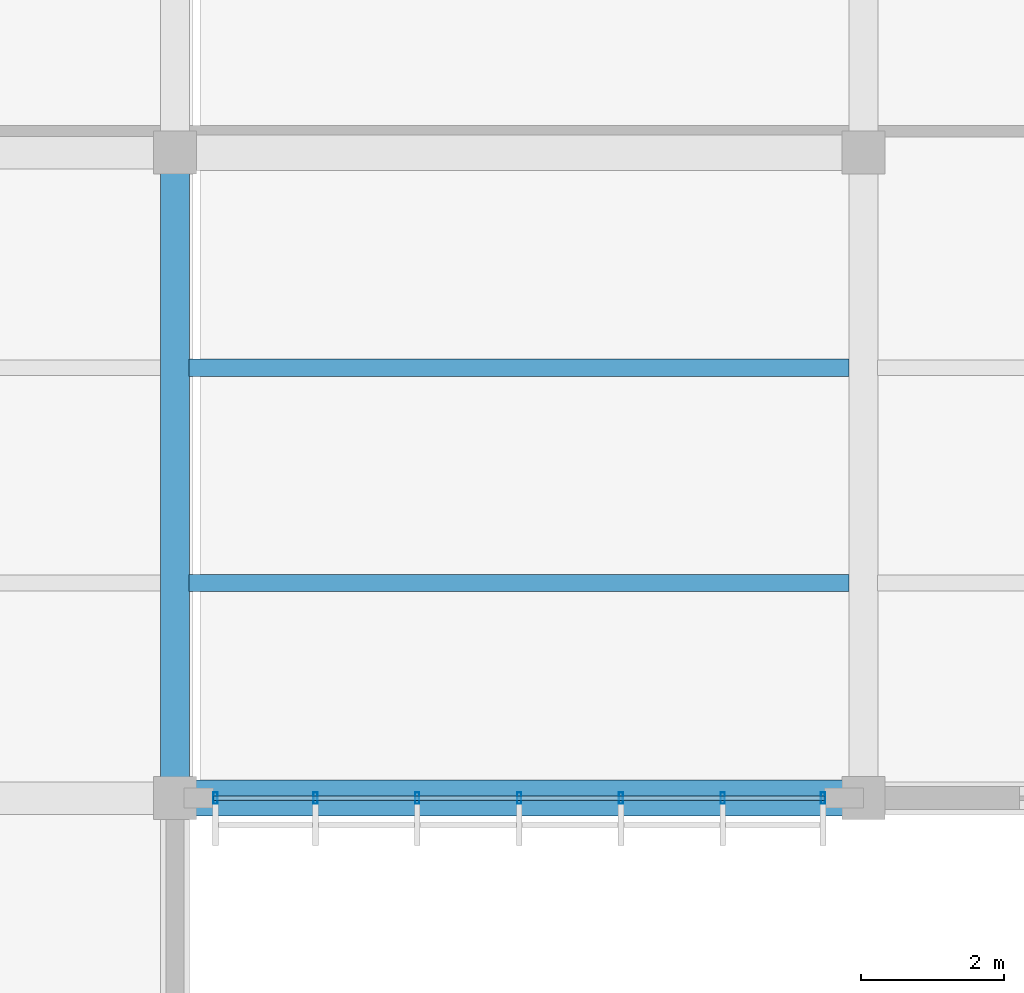
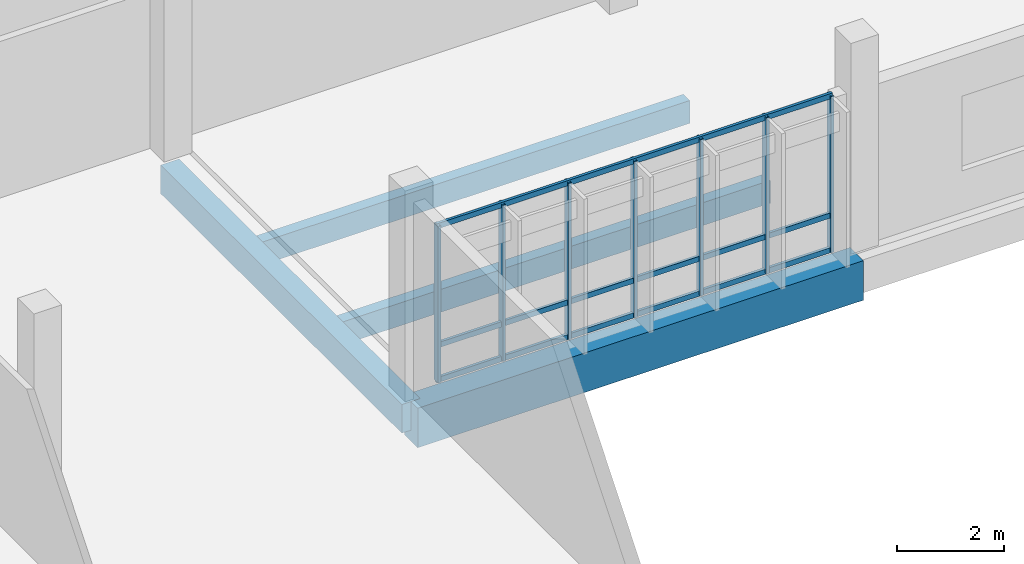
# One storey, part 79 of 177: 10 members, 4 beams, 1 element without a shape of its own.
"""IFC4 building model written with IfcOpenShell, lengths in metres."""

import ifcopenshell
import ifcopenshell.guid

model = None  # the IFC model being written
_history = None  # IfcOwnerHistory: only IFC2X3 demands one
_inside = {}  # id of a spatial element -> (the spatial element, [elements in it])
_under = {}  # id of a project, library or spatial element -> (it, [spatial elements below it])
_declared = {}  # id of a project -> (the project, [libraries it declares])
_typed = {}  # id of a type object -> (the type object, [elements of that type])
_made_of = {}  # id of a material, layer set ... -> (it, [elements and type objects made of it])


def new_model(schema):
    """Start an empty IFC model of exactly this schema.

    Asked for "IFC4X3", IfcOpenShell would pick the latest addendum, in which some entities
    have other attributes; the version numbers below select the first issue.
    IFC2X3 requires an IfcOwnerHistory on every rooted entity: one is made here for all.
    """
    global model, _history
    if schema == "IFC4X3":
        model = ifcopenshell.file(schema_version=(4, 3, 0, 0))
    else:
        model = ifcopenshell.file(schema=schema)
    _inside.clear()
    _under.clear()
    _declared.clear()
    _typed.clear()
    _made_of.clear()
    _history = None
    if model.schema == "IFC2X3":
        org = make("IfcOrganization", Name="unknown")
        user = make(
            "IfcPersonAndOrganization",
            ThePerson=make("IfcPerson", FamilyName="unknown"),
            TheOrganization=org,
        )
        app = make(
            "IfcApplication",
            ApplicationDeveloper=org,
            Version="unknown",
            ApplicationFullName="unknown",
            ApplicationIdentifier="unknown",
        )
        _history = make(
            "IfcOwnerHistory",
            OwningUser=user,
            OwningApplication=app,
            ChangeAction="ADDED",
            CreationDate=0,
        )
    return model


def make(cls, **values):
    """One entity of the class cls with the attributes given. An attribute that is None is left unset."""
    return model.create_entity(
        cls, **{name: value for name, value in values.items() if value is not None}
    )


def rooted(cls, **values):
    """An entity with a GlobalId (a new one), such as an element, a storey or a relation."""
    return make(cls, GlobalId=ifcopenshell.guid.new(), OwnerHistory=_history, **values)


def si_unit(unit_type, name, prefix=None):
    """IfcSIUnit, for example si_unit("LENGTHUNIT", "METRE", prefix="MILLI")."""
    return make("IfcSIUnit", UnitType=unit_type, Prefix=prefix, Name=name)


def assignment(units):
    """IfcUnitAssignment: the units of a project."""
    return None if units is None else make("IfcUnitAssignment", Units=units)


def point(xyz):
    """IfcCartesianPoint."""
    return None if xyz is None else make("IfcCartesianPoint", Coordinates=xyz)


def direction(xyz):
    """IfcDirection."""
    return None if xyz is None else make("IfcDirection", DirectionRatios=xyz)


def frame(location, z_axis=None, x_axis=None):
    """IfcAxis2Placement3D, a coordinate frame: its origin and axes. An axis left out is left unset."""
    return make(
        "IfcAxis2Placement3D",
        Location=point(location),
        Axis=direction(z_axis),
        RefDirection=direction(x_axis),
    )


def frame_2d(location, x_axis=None):
    """IfcAxis2Placement2D, a coordinate frame in the plane: its origin and x axis."""
    return make(
        "IfcAxis2Placement2D", Location=point(location), RefDirection=direction(x_axis)
    )


def origin():
    """The frame at (0, 0, 0) with its axes left unset."""
    return frame((0.0, 0.0, 0.0))


def origin_2d():
    """The frame at (0, 0) in the plane with its x axis left unset."""
    return frame_2d((0.0, 0.0))


def place(relative_to, where):
    """IfcLocalPlacement: puts the frame where relative to a parent placement (None: the world)."""
    return make(
        "IfcLocalPlacement", PlacementRelTo=relative_to, RelativePlacement=where
    )


def context(
    kind, dimensions, precision=None, world=None, true_north=None, identifier=None
):
    """IfcGeometricRepresentationContext, for example the 3D "Model" context."""
    return make(
        "IfcGeometricRepresentationContext",
        ContextIdentifier=identifier,
        ContextType=kind,
        CoordinateSpaceDimension=dimensions,
        Precision=precision,
        WorldCoordinateSystem=world,
        TrueNorth=true_north,
    )


def subcontext(parent, identifier, kind, view, scale=None):
    """IfcGeometricRepresentationSubContext, for example "Body" below "Model"."""
    return make(
        "IfcGeometricRepresentationSubContext",
        ContextIdentifier=identifier,
        ContextType=kind,
        ParentContext=parent,
        TargetScale=scale,
        TargetView=view,
    )


def project(units=None, contexts=None):
    """IfcProject with its units and contexts."""
    return rooted(
        "IfcProject",
        Name="project",
        RepresentationContexts=contexts,
        UnitsInContext=assignment(units),
    )


def spatial(cls, under=None, at=None, **own):
    """A site, building, storey or space (cls), placed at a placement, below another one or the project."""
    s = rooted(cls, ObjectPlacement=at, **own)
    if under is not None:
        _under.setdefault(under.id(), (under, []))[1].append(s)
    return s


def profile(cls, at=None, kind="AREA", **sizes):
    """A parametric profile (cls). Its sizes go by their IFC names, for example OverallWidth=200.0."""
    return make(cls, ProfileType=kind, Position=at, **sizes)


def rectangle(**sizes):
    """IfcRectangleProfileDef."""
    return profile("IfcRectangleProfileDef", **sizes)


def hollow_rectangle(**sizes):
    """IfcRectangleHollowProfileDef."""
    return profile("IfcRectangleHollowProfileDef", **sizes)


def extrude(swept, where, along, depth):
    """IfcExtrudedAreaSolid: the profile swept, set in the frame where, extruded along a direction by depth."""
    return make(
        "IfcExtrudedAreaSolid",
        SweptArea=swept,
        Position=where,
        ExtrudedDirection=direction(along),
        Depth=depth,
    )


def shape(context_of_items, identifier, shape_type, items):
    """IfcShapeRepresentation: the items that make up one representation, for example the "Body"."""
    return make(
        "IfcShapeRepresentation",
        ContextOfItems=context_of_items,
        RepresentationIdentifier=identifier,
        RepresentationType=shape_type,
        Items=items,
    )


def material(Name=None, Category=None):
    """IfcMaterial."""
    return make("IfcMaterial", Name=Name, Category=Category)


def material_profile(
    of_material, cross_section, Name=None, Category=None, Priority=None
):
    """IfcMaterialProfile: a cross section and its material."""
    return make(
        "IfcMaterialProfile",
        Name=Name,
        Material=of_material,
        Profile=cross_section,
        Priority=Priority,
        Category=Category,
    )


def profile_set(profiles, Name=None, composite=None):
    """IfcMaterialProfileSet."""
    return make(
        "IfcMaterialProfileSet",
        Name=Name,
        MaterialProfiles=profiles,
        CompositeProfile=composite,
    )


def made_of(thing, what):
    """Note that an element or type object is made of a material, layer set ...; save() writes the relation."""
    if what is not None:
        _made_of.setdefault(what.id(), (what, []))[1].append(thing)
    return thing


def type_object(cls, material=None, **own):
    """A type object (cls), such as IfcWallType, which elements share."""
    return made_of(rooted(cls, **own), material)


def element(
    cls,
    number,
    at=None,
    inside=None,
    cuts=None,
    type_object=None,
    material=None,
    context=None,
    identifier="Body",
    shape_type=None,
    held_by="IfcProductDefinitionShape",
    body=None,
    shapes=None,
    **own,
):
    """One element of the class cls, such as IfcWall. Its Tag is "e" and its number.

    at: its placement. inside: the storey or other place that contains it. cuts: it is an
    opening in that element (IfcRelVoidsElement). A single representation is given by context,
    identifier, shape_type and body (its items); several are given by shapes. held_by: the class
    of the entity that holds the representations. save() writes the other relations.
    """
    e = rooted(cls, Tag="e%d" % number, ObjectPlacement=at, **own)
    if body is not None:
        shapes = [shape(context, identifier, shape_type, body)]
    if shapes is not None:
        e.Representation = make(held_by, Representations=shapes)
    if inside is not None:
        _inside.setdefault(inside.id(), (inside, []))[1].append(e)
    if cuts is not None:
        rooted(
            "IfcRelVoidsElement", RelatingBuildingElement=cuts, RelatedOpeningElement=e
        )
    if type_object is not None:
        _typed.setdefault(type_object.id(), (type_object, []))[1].append(e)
    return made_of(e, material)


def aggregate(whole, parts):
    """IfcRelAggregates: a whole, such as a stair, and the parts it consists of."""
    return rooted("IfcRelAggregates", RelatingObject=whole, RelatedObjects=parts)


def save(model, path):
    """Write the relations noted so far, then the file.

    IfcRelAggregates (storeys below a building ...), IfcRelContainedInSpatialStructure (elements
    in a storey), IfcRelDefinesByType, IfcRelAssociatesMaterial and IfcRelDeclares: one each for
    every whole, place, type object, material and project.
    """
    for whole, parts in _under.values():
        aggregate(whole, parts)
    for where, things in _inside.values():
        rooted(
            "IfcRelContainedInSpatialStructure",
            RelatedElements=things,
            RelatingStructure=where,
        )
    for kind, things in _typed.values():
        rooted("IfcRelDefinesByType", RelatedObjects=things, RelatingType=kind)
    for what, things in _made_of.values():
        rooted("IfcRelAssociatesMaterial", RelatedObjects=things, RelatingMaterial=what)
    for by, libraries in _declared.values():
        rooted("IfcRelDeclares", RelatingContext=by, RelatedDefinitions=libraries)
    model.write(path)


model = new_model("IFC4")

# Units and contexts
model_context = context("Model", 3, precision=1e-05, world=origin(), true_north=direction((0.0, 1.0)))
body_context = subcontext(model_context, "Body", "Model", "MODEL_VIEW")
ifc_project = project(units=[si_unit("LENGTHUNIT", "METRE"), si_unit("AREAUNIT", "SQUARE_METRE"), si_unit("VOLUMEUNIT", "CUBIC_METRE"), si_unit("PLANEANGLEUNIT", "RADIAN"), si_unit("MASSUNIT", "GRAM", prefix="KILO")], contexts=[model_context])

# Site, building, storey
site_placement = place(None, origin())
site = spatial("IfcSite", under=ifc_project, at=site_placement, CompositionType="ELEMENT")
building_placement = place(site_placement, origin())
building = spatial("IfcBuilding", under=site, at=building_placement, Name="Chiffa Square Polytechnic", CompositionType="ELEMENT")
storey_placement = place(building_placement, frame((0.0, 0.0, 4.800048828125)))
storey = spatial("IfcBuildingStorey", under=building, at=storey_placement, Name="L01", CompositionType="ELEMENT", Elevation=4.800048828125)

# Beams
ifc_material_1 = material(Name="Concrete C35/45", Category="concrete")
ifc_material_profile_1 = material_profile(ifc_material_1, rectangle(XDim=0.39990234375, YDim=0.64990234375, at=origin_2d()), Name="RC 400x650")
ifc_profile_set_1 = profile_set([ifc_material_profile_1], Name="Concrete C35/45")
beam_type_1 = type_object("IfcBeamType", Name="BM-RC-400X650", PredefinedType="BEAM", material=ifc_profile_set_1)
beam_1_placement = place(storey_placement, frame((48.0, 103.800048828125, -0.60498046875), z_axis=(0.0, 1.0, 0.0), x_axis=(-1.0, 0.0, 0.0)))
element("IfcBeam", 1, at=beam_1_placement, inside=storey, type_object=beam_type_1, Name="Primary floor girder BM-V5-L01-Y-0480-1038", PredefinedType="BEAM", context=body_context, shape_type="SweptSolid", body=[
    extrude(rectangle(XDim=0.39990234375, YDim=0.64990234375, at=origin_2d()), origin(), (0.0, 0.0, 1.0), 9.0),
])
ifc_material_2 = material(Name="Concrete C40/50", Category="concrete")
ifc_material_profile_2 = material_profile(ifc_material_2, rectangle(XDim=0.5, YDim=0.89990234375, at=origin_2d()), Name="RC 500x900")
ifc_profile_set_2 = profile_set([ifc_material_profile_2], Name="Concrete C40/50")
beam_type_2 = type_object("IfcBeamType", Name="BM-RC-500X900", PredefinedType="BEAM", material=ifc_profile_set_2)
beam_2_placement = place(storey_placement, frame((48.0, 103.800048828125, -0.72998046875), z_axis=(1.0, 0.0, 0.0), x_axis=(0.0, 1.0, 0.0)))
element("IfcBeam", 2, at=beam_2_placement, inside=storey, type_object=beam_type_2, Name="Primary floor girder BM-V5-L01-X-0480-1038", PredefinedType="BEAM", context=body_context, shape_type="SweptSolid", body=[
    extrude(rectangle(XDim=0.5, YDim=0.89990234375, at=origin_2d()), origin(), (0.0, 0.0, 1.0), 9.60009765625),
])

# Curtain wall, members
ifc_material_3 = material(Name="Aluminium EN AW-6060 T66 and glulam shading", Category="wood")
curtain_wall_type = type_object("IfcCurtainWallType", Name="CW-VERT-540X440", PredefinedType="USERDEFINED", material=ifc_material_3)
curtain_wall_placement = place(storey_placement, origin())
curtain_wall = element("IfcCurtainWall", 3, at=curtain_wall_placement, inside=storey, type_object=curtain_wall_type, Name="Curtain wall CW-V5-L01-199", ObjectType="CURTAIN WALL", PredefinedType="USERDEFINED")
ifc_material_4 = material(Name="Aluminium EN AW-6060 T66", Category="aluminium")
ifc_material_profile_3 = material_profile(ifc_material_4, hollow_rectangle(XDim=0.06005859375, YDim=0.159912109375, WallThickness=0.00390625, at=origin_2d()), Name="ALU 60x160x4")
ifc_profile_set_3 = profile_set([ifc_material_profile_3], Name="Aluminium EN AW-6060 T66")
member_type_1 = type_object("IfcMemberType", Name="CWM-ALU-65X150", PredefinedType="MULLION", material=ifc_profile_set_3)
member_1_placement = place(storey_placement, frame((48.56494140625, 103.800048828125, 0.0), z_axis=(0.0, 0.0, 1.0), x_axis=(1.0, 0.0, 0.0)))
member_1 = element("IfcMember", 4, at=member_1_placement, type_object=member_type_1, Name="Curtain wall mullion CW-V5-L01-199-M00", PredefinedType="MULLION", context=body_context, shape_type="SweptSolid", body=[
    extrude(hollow_rectangle(XDim=0.06005859375, YDim=0.159912109375, WallThickness=0.00390625, at=origin_2d()), origin(), (0.0, 0.0, 1.0), 3.56494140625),
])
member_2_placement = place(storey_placement, frame((49.9599609375, 103.800048828125, 0.0), z_axis=(0.0, 0.0, 1.0), x_axis=(1.0, 0.0, 0.0)))
member_2 = element("IfcMember", 5, at=member_2_placement, type_object=member_type_1, Name="Curtain wall mullion CW-V5-L01-199-M01", PredefinedType="MULLION", context=body_context, shape_type="SweptSolid", body=[
    extrude(hollow_rectangle(XDim=0.06005859375, YDim=0.159912109375, WallThickness=0.00390625, at=origin_2d()), origin(), (0.0, 0.0, 1.0), 3.56494140625),
])
member_3_placement = place(storey_placement, frame((51.3798828125, 103.800048828125, 0.0), z_axis=(0.0, 0.0, 1.0), x_axis=(1.0, 0.0, 0.0)))
member_3 = element("IfcMember", 6, at=member_3_placement, type_object=member_type_1, Name="Curtain wall mullion CW-V5-L01-199-M02", PredefinedType="MULLION", context=body_context, shape_type="SweptSolid", body=[
    extrude(hollow_rectangle(XDim=0.06005859375, YDim=0.159912109375, WallThickness=0.00390625, at=origin_2d()), origin(), (0.0, 0.0, 1.0), 3.56494140625),
])
member_4_placement = place(storey_placement, frame((52.800048828125, 103.800048828125, 0.0), z_axis=(0.0, 0.0, 1.0), x_axis=(1.0, 0.0, 0.0)))
member_4 = element("IfcMember", 7, at=member_4_placement, type_object=member_type_1, Name="Curtain wall mullion CW-V5-L01-199-M03", PredefinedType="MULLION", context=body_context, shape_type="SweptSolid", body=[
    extrude(hollow_rectangle(XDim=0.06005859375, YDim=0.159912109375, WallThickness=0.00390625, at=origin_2d()), origin(), (0.0, 0.0, 1.0), 3.56494140625),
])
member_5_placement = place(storey_placement, frame((54.219970703125, 103.800048828125, 0.0), z_axis=(0.0, 0.0, 1.0), x_axis=(1.0, 0.0, 0.0)))
member_5 = element("IfcMember", 8, at=member_5_placement, type_object=member_type_1, Name="Curtain wall mullion CW-V5-L01-199-M04", PredefinedType="MULLION", context=body_context, shape_type="SweptSolid", body=[
    extrude(hollow_rectangle(XDim=0.06005859375, YDim=0.159912109375, WallThickness=0.00390625, at=origin_2d()), origin(), (0.0, 0.0, 1.0), 3.56494140625),
])
member_6_placement = place(storey_placement, frame((55.639892578125, 103.800048828125, 0.0), z_axis=(0.0, 0.0, 1.0), x_axis=(1.0, 0.0, 0.0)))
member_6 = element("IfcMember", 9, at=member_6_placement, type_object=member_type_1, Name="Curtain wall mullion CW-V5-L01-199-M05", PredefinedType="MULLION", context=body_context, shape_type="SweptSolid", body=[
    extrude(hollow_rectangle(XDim=0.06005859375, YDim=0.159912109375, WallThickness=0.00390625, at=origin_2d()), origin(), (0.0, 0.0, 1.0), 3.56494140625),
])
member_7_placement = place(storey_placement, frame((57.034912109375, 103.800048828125, 0.0), z_axis=(0.0, 0.0, 1.0), x_axis=(1.0, 0.0, 0.0)))
member_7 = element("IfcMember", 10, at=member_7_placement, type_object=member_type_1, Name="Curtain wall mullion CW-V5-L01-199-M06", PredefinedType="MULLION", context=body_context, shape_type="SweptSolid", body=[
    extrude(hollow_rectangle(XDim=0.06005859375, YDim=0.159912109375, WallThickness=0.00390625, at=origin_2d()), origin(), (0.0, 0.0, 1.0), 3.56494140625),
])
ifc_material_profile_4 = material_profile(ifc_material_4, hollow_rectangle(XDim=0.06005859375, YDim=0.1201171875, WallThickness=0.00390625, at=origin_2d()), Name="ALU 60x120x4")
ifc_profile_set_4 = profile_set([ifc_material_profile_4], Name="Aluminium EN AW-6060 T66")
member_type_2 = type_object("IfcMemberType", Name="CWT-ALU-65X120", PredefinedType="USERDEFINED", material=ifc_profile_set_4)
member_8_placement = place(storey_placement, frame((48.5380859375, 103.800048828125, 0.030029296875), z_axis=(1.0, 0.0, 0.0), x_axis=(0.0, 1.0, 0.0)))
member_8 = element("IfcMember", 11, at=member_8_placement, type_object=member_type_2, Name="Curtain wall transom CW-V5-L01-199-T01", ObjectType="TRANSOM", PredefinedType="USERDEFINED", context=body_context, shape_type="SweptSolid", body=[
    extrude(hollow_rectangle(XDim=0.06005859375, YDim=0.1201171875, WallThickness=0.00390625, at=origin_2d()), origin(), (0.0, 0.0, 1.0), 8.52392578125),
])
member_9_placement = place(storey_placement, frame((48.5380859375, 103.800048828125, 0.820068359375), z_axis=(1.0, 0.0, 0.0), x_axis=(0.0, 1.0, 0.0)))
member_9 = element("IfcMember", 12, at=member_9_placement, type_object=member_type_2, Name="Curtain wall transom CW-V5-L01-199-T02", ObjectType="TRANSOM", PredefinedType="USERDEFINED", context=body_context, shape_type="SweptSolid", body=[
    extrude(hollow_rectangle(XDim=0.06005859375, YDim=0.1201171875, WallThickness=0.00390625, at=origin_2d()), origin(), (0.0, 0.0, 1.0), 8.52392578125),
])
member_10_placement = place(storey_placement, frame((48.5380859375, 103.800048828125, 3.534912109375), z_axis=(1.0, 0.0, 0.0), x_axis=(0.0, 1.0, 0.0)))
member_10 = element("IfcMember", 13, at=member_10_placement, type_object=member_type_2, Name="Curtain wall transom CW-V5-L01-199-T03", ObjectType="TRANSOM", PredefinedType="USERDEFINED", context=body_context, shape_type="SweptSolid", body=[
    extrude(hollow_rectangle(XDim=0.06005859375, YDim=0.1201171875, WallThickness=0.00390625, at=origin_2d()), origin(), (0.0, 0.0, 1.0), 8.52392578125),
])
aggregate(curtain_wall, [member_1, member_2, member_3, member_4, member_5, member_6, member_7, member_8, member_9, member_10])

# Beams
ifc_material_5 = material(Name="Glulam GL28h", Category="wood")
ifc_material_profile_5 = material_profile(ifc_material_5, rectangle(XDim=0.239990234375, YDim=0.52001953125, at=origin_2d()), Name="GL28h 240x520")
ifc_profile_set_5 = profile_set([ifc_material_profile_5], Name="Glulam GL28h")
beam_type_3 = type_object("IfcBeamType", Name="JST-GL-240X520", PredefinedType="JOIST", material=ifc_profile_set_5)
for number, where, z_axis, x_axis, name in (
    (14, (48.197998046875, 106.800048828125, -0.5400390625), (1.0, 0.0, 0.0), (0.0, 1.0, 0.0), "Secondary floor joist JST-V5-L01-0480-1068"),
    (15, (48.197998046875, 109.800048828125, -0.5400390625), (1.0, 0.0, 0.0), (0.0, 1.0, 0.0), "Secondary floor joist JST-V5-L01-0480-1098"),
):
    element("IfcBeam", number, at=place(storey_placement, frame(where, z_axis=z_axis, x_axis=x_axis)), inside=storey, type_object=beam_type_3, Name=name, PredefinedType="JOIST", context=body_context, shape_type="SweptSolid", body=[
        extrude(rectangle(XDim=0.239990234375, YDim=0.52001953125, at=origin_2d()), origin(), (0.0, 0.0, 1.0), 9.2041015625),
    ])

save(model, "model.ifc")
